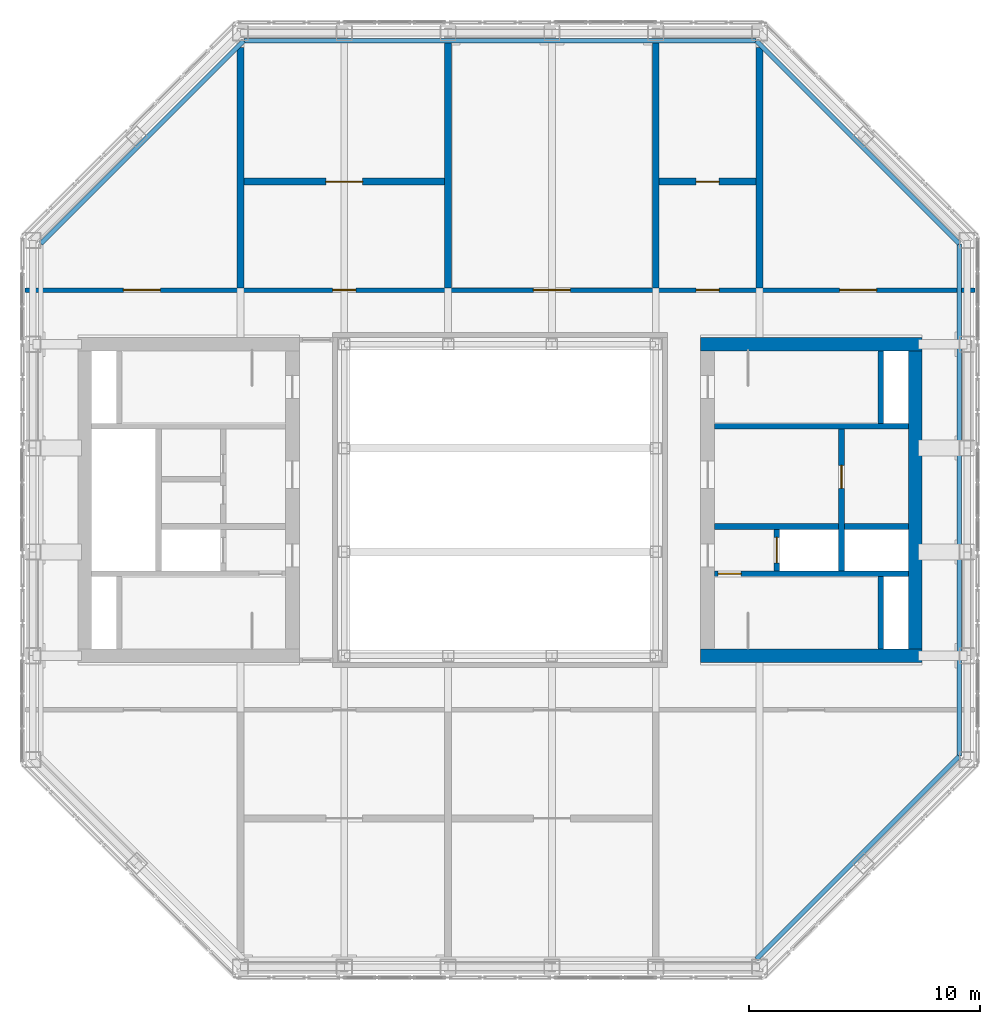
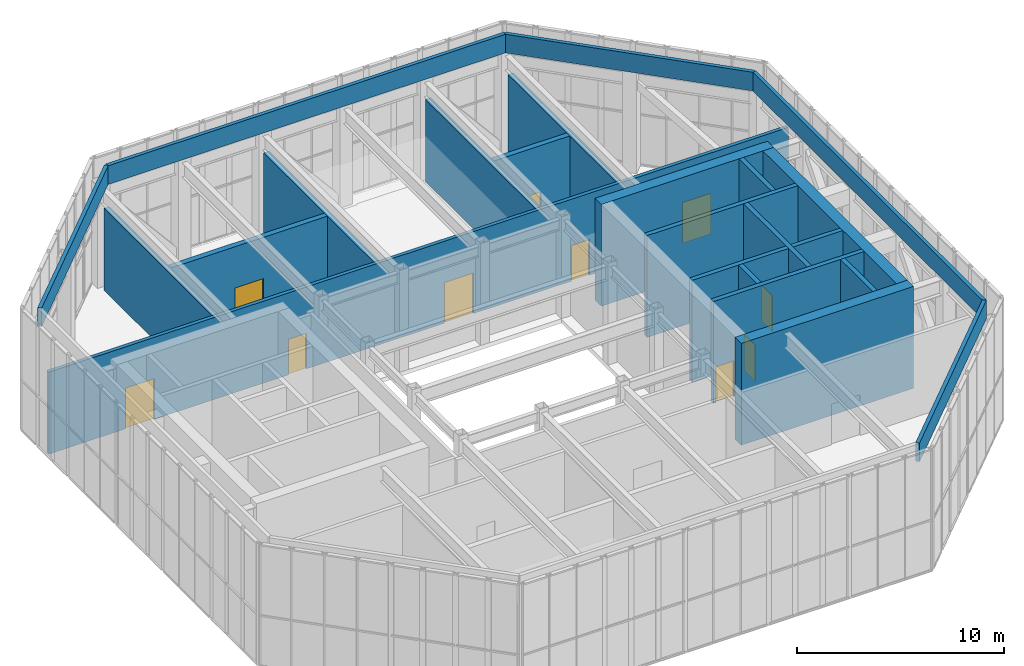
# One storey, part 14 of 15: 23 walls, 10 doors, 10 openings.
"""IFC4 building model written with IfcOpenShell, lengths in metres."""

from ifc_helpers import new_model, si_unit, direction, frame, frame_2d, origin, place, context, subcontext, project, spatial, rectangle, extrude, material, layer, layer_set, type_object, element, fill, save


model = new_model("IFC4")

# Units and contexts
model_context = context("Model", 3, precision=1e-05, world=origin(), true_north=direction((0.0, 1.0)))
body_context = subcontext(model_context, "Body", "Model", "MODEL_VIEW")
ifc_project = project(units=[si_unit("LENGTHUNIT", "METRE"), si_unit("AREAUNIT", "SQUARE_METRE"), si_unit("VOLUMEUNIT", "CUBIC_METRE"), si_unit("PLANEANGLEUNIT", "RADIAN"), si_unit("MASSUNIT", "GRAM", prefix="KILO")], contexts=[model_context])

# Site, building, storey
site_placement = place(None, origin())
site = spatial("IfcSite", under=ifc_project, at=site_placement, CompositionType="ELEMENT")
building_placement = place(site_placement, origin())
building = spatial("IfcBuilding", under=site, at=building_placement, Name="Msasa Ring Tower", CompositionType="ELEMENT")
storey_placement = place(building_placement, frame((0.0, 0.0, 268.050048828125)))
storey = spatial("IfcBuildingStorey", under=building, at=storey_placement, Name="L69", CompositionType="ELEMENT", Elevation=268.050048828125)

# Walls
ifc_material_1 = material(Name="Concrete C60/75", Category="concrete")
ifc_layer_1 = layer(ifc_material_1, 0.60009765625)
ifc_layer_set_1 = layer_set([ifc_layer_1], Name="CW3 CORE WALL 600")
wall_type_1 = type_object("IfcWallType", Name="CW3 CORE WALL 600", PredefinedType="SHEAR", material=ifc_layer_set_1)
for number, where, z_axis, x_axis, name in (
    (1, (8.699951171875, -6.75, 0.0), (0.0, 0.0, 1.0), (1.0, 0.0, 0.0), "E core wall S L69"),
    (2, (8.699951171875, 6.75, 0.0), (0.0, 0.0, 1.0), (1.0, 0.0, 0.0), "E core wall N L69"),
):
    element("IfcWall", number, at=place(storey_placement, frame(where, z_axis=z_axis, x_axis=x_axis)), inside=storey, type_object=wall_type_1, Name=name, PredefinedType="SHEAR", context=body_context, shape_type="SweptSolid", body=[
        extrude(rectangle(XDim=9.60009765625, YDim=0.60009765625, at=frame_2d((4.800048828125, 0.0))), origin(), (0.0, 0.0, 1.0), 6.0),
    ])
wall_1_placement = place(storey_placement, frame((18.0, -6.449951171875, 0.0), z_axis=(0.0, 0.0, 1.0), x_axis=(0.0, 1.0, 0.0)))
element("IfcWall", 3, at=wall_1_placement, inside=storey, type_object=wall_type_1, Name="E core wall E L69", PredefinedType="SHEAR", context=body_context, shape_type="SweptSolid", body=[
    extrude(rectangle(XDim=12.89990234375, YDim=0.60009765625, at=frame_2d((6.449951171875, 0.0))), origin(), (0.0, 0.0, 1.0), 6.0),
])

# Wall, opening, door
ifc_material_2 = material(Name="Concrete C60/75", Category="concrete")
ifc_layer_2 = layer(ifc_material_2, 0.25)
ifc_layer_set_2 = layer_set([ifc_layer_2], Name="CW4 CORE INNER WALL 250")
wall_type_2 = type_object("IfcWallType", Name="CW4 CORE INNER WALL 250", PredefinedType="SHEAR", material=ifc_layer_set_2)
wall_2_placement = place(storey_placement, frame((9.300048828125, -3.199951171875, 0.0), z_axis=(0.0, 0.0, 1.0), x_axis=(1.0, 0.0, 0.0)))
wall_2 = element("IfcWall", 4, at=wall_2_placement, inside=storey, type_object=wall_type_2, Name="E core wall STAIRA L69", PredefinedType="SHEAR", context=body_context, shape_type="SweptSolid", body=[
    extrude(rectangle(XDim=8.39990234375, YDim=0.25, at=frame_2d((4.199951171875, 0.0))), origin(), (0.0, 0.0, 1.0), 6.0),
])
opening_1_placement = place(wall_2_placement, frame((0.14990234375, 0.0, 0.0)))
opening_1 = element("IfcOpeningElement", 5, at=opening_1_placement, cuts=wall_2, Name="Opening L69-019", PredefinedType="OPENING", context=body_context, shape_type="SweptSolid", body=[
    extrude(rectangle(XDim=1.0, YDim=2.10009765625, at=frame_2d((0.5, 1.050048828125))), frame((0.0, 0.135009765625, 0.0), z_axis=(0.0, -1.0, 0.0), x_axis=(1.0, 0.0, 0.0)), (0.0, 0.0, 1.0), 0.27001953125),
])
ifc_material_3 = material(Name="Timber door leaf in a steel frame", Category="steel")
door_type_1 = type_object("IfcDoorType", Name="D6 STAIR DOOR 1000x2100", OperationType="SINGLE_SWING_LEFT", PredefinedType="DOOR", material=ifc_material_3)
door_1_placement = place(opening_1_placement, origin())
door_1 = element("IfcDoor", 6, at=door_1_placement, inside=storey, type_object=door_type_1, Name="Door L69-ESTA", OperationType="SINGLE_SWING_LEFT", OverallHeight=2.10009765625, OverallWidth=1.0, PredefinedType="DOOR", context=body_context, shape_type="SweptSolid", body=[
    extrude(rectangle(XDim=1.0, YDim=2.10009765625, at=frame_2d((0.5, 1.050048828125))), frame((0.0, 0.02490234375, 0.0), z_axis=(0.0, -1.0, 0.0), x_axis=(1.0, 0.0, 0.0)), (0.0, 0.0, 1.0), 0.050048828125),
])
fill(opening_1, door_1)

# Walls
wall_3_placement = place(storey_placement, frame((9.300048828125, 3.199951171875, 0.0), z_axis=(0.0, 0.0, 1.0), x_axis=(1.0, 0.0, 0.0)))
element("IfcWall", 7, at=wall_3_placement, inside=storey, type_object=wall_type_2, Name="E core wall STAIRB L69", PredefinedType="SHEAR", context=body_context, shape_type="SweptSolid", body=[
    extrude(rectangle(XDim=8.39990234375, YDim=0.25, at=frame_2d((4.199951171875, 0.0))), origin(), (0.0, 0.0, 1.0), 6.0),
])
for number, where, z_axis, x_axis, name in (
    (8, (16.5, -6.449951171875, 0.0), (0.0, 0.0, 1.0), (0.0, 1.0, 0.0), "E core wall RISERA L69"),
    (9, (16.5, 3.324951171875, 0.0), (0.0, 0.0, 1.0), (0.0, 1.0, 0.0), "E core wall RISERB L69"),
):
    element("IfcWall", number, at=place(storey_placement, frame(where, z_axis=z_axis, x_axis=x_axis)), inside=storey, type_object=wall_type_2, Name=name, PredefinedType="SHEAR", context=body_context, shape_type="SweptSolid", body=[
        extrude(rectangle(XDim=3.125, YDim=0.25, at=frame_2d((1.5625, 0.0))), origin(), (0.0, 0.0, 1.0), 6.0),
    ])
wall_4_placement = place(storey_placement, frame((9.300048828125, -1.14990234375, 0.0), z_axis=(0.0, 0.0, 1.0), x_axis=(1.0, 0.0, 0.0)))
element("IfcWall", 10, at=wall_4_placement, inside=storey, type_object=wall_type_2, Name="E core wall FFL L69", PredefinedType="SHEAR", context=body_context, shape_type="SweptSolid", body=[
    extrude(rectangle(XDim=5.375, YDim=0.25, at=frame_2d((2.6875, 0.0))), origin(), (0.0, 0.0, 1.0), 6.0),
])

# Wall, opening, door
wall_5_placement = place(storey_placement, frame((12.0, -3.074951171875, 0.0), z_axis=(0.0, 0.0, 1.0), x_axis=(0.0, 1.0, 0.0)))
wall_5 = element("IfcWall", 11, at=wall_5_placement, inside=storey, type_object=wall_type_2, Name="E core wall LOBBY L69", PredefinedType="SHEAR", context=body_context, shape_type="SweptSolid", body=[
    extrude(rectangle(XDim=1.800048828125, YDim=0.25, at=frame_2d((0.89990234375, 0.0))), origin(), (0.0, 0.0, 1.0), 6.0),
])
opening_2_placement = place(wall_5_placement, frame((0.35009765625, 0.0, 0.0)))
opening_2 = element("IfcOpeningElement", 12, at=opening_2_placement, cuts=wall_5, Name="Opening LD1", PredefinedType="OPENING", context=body_context, shape_type="SweptSolid", body=[
    extrude(rectangle(XDim=1.10009765625, YDim=2.10009765625, at=frame_2d((0.550048828125, 1.050048828125))), frame((0.0, 0.135009765625, 0.0), z_axis=(0.0, -1.0, 0.0), x_axis=(1.0, 0.0, 0.0)), (0.0, 0.0, 1.0), 0.27001953125),
])
ifc_material_4 = material(Name="Stainless steel lift landing door", Category="steel")
door_type_2 = type_object("IfcDoorType", Name="LD1 LIFT LANDING DOOR 1100x2100", OperationType="DOUBLE_DOOR_SLIDING", PredefinedType="DOOR", material=ifc_material_4)
door_2_placement = place(opening_2_placement, origin())
door_2 = element("IfcDoor", 13, at=door_2_placement, inside=storey, type_object=door_type_2, Name="Lift landing door FL-E L69", OperationType="DOUBLE_DOOR_SLIDING", OverallHeight=2.10009765625, OverallWidth=1.10009765625, PredefinedType="DOOR", context=body_context, shape_type="SweptSolid", body=[
    extrude(rectangle(XDim=1.10009765625, YDim=2.10009765625, at=frame_2d((0.550048828125, 1.050048828125))), frame((0.0, 0.02490234375, 0.0), z_axis=(0.0, -1.0, 0.0), x_axis=(1.0, 0.0, 0.0)), (0.0, 0.0, 1.0), 0.050048828125),
])
fill(opening_2, door_2)

wall_6_placement = place(storey_placement, frame((14.800048828125, -3.074951171875, 0.0), z_axis=(0.0, 0.0, 1.0), x_axis=(0.0, 1.0, 0.0)))
wall_6 = element("IfcWall", 14, at=wall_6_placement, inside=storey, type_object=wall_type_2, Name="E core wall SHAFT L69", PredefinedType="SHEAR", context=body_context, shape_type="SweptSolid", body=[
    extrude(rectangle(XDim=6.14990234375, YDim=0.25, at=frame_2d((3.074951171875, 0.0))), origin(), (0.0, 0.0, 1.0), 6.0),
])
opening_3_placement = place(wall_6_placement, frame((3.574951171875, 0.0, 0.0)))
opening_3 = element("IfcOpeningElement", 15, at=opening_3_placement, cuts=wall_6, Name="Opening L69-014", PredefinedType="OPENING", context=body_context, shape_type="SweptSolid", body=[
    extrude(rectangle(XDim=1.0, YDim=2.10009765625, at=frame_2d((0.5, 1.050048828125))), frame((0.0, 0.135009765625, 0.0), z_axis=(0.0, -1.0, 0.0), x_axis=(1.0, 0.0, 0.0)), (0.0, 0.0, 1.0), 0.27001953125),
])
ifc_material_5 = material(Name="Timber door leaf in a steel frame", Category="steel")
door_type_3 = type_object("IfcDoorType", Name="D13 PLANT ROOM DOOR 1000x2100", OperationType="SINGLE_SWING_LEFT", PredefinedType="DOOR", material=ifc_material_5)
door_3_placement = place(opening_3_placement, origin())
door_3 = element("IfcDoor", 16, at=door_3_placement, inside=storey, type_object=door_type_3, Name="Door L69-EMR", OperationType="SINGLE_SWING_RIGHT", OverallHeight=2.10009765625, OverallWidth=1.0, PredefinedType="DOOR", context=body_context, shape_type="SweptSolid", body=[
    extrude(rectangle(XDim=1.0, YDim=2.10009765625, at=frame_2d((0.5, 1.050048828125))), frame((0.0, 0.02490234375, 0.0), z_axis=(0.0, -1.0, 0.0), x_axis=(1.0, 0.0, 0.0)), (0.0, 0.0, 1.0), 0.050048828125),
])
fill(opening_3, door_3)

# Wall
wall_7_placement = place(storey_placement, frame((14.925048828125, -1.14990234375, 0.0), z_axis=(0.0, 0.0, 1.0), x_axis=(1.0, 0.0, 0.0)))
element("IfcWall", 17, at=wall_7_placement, inside=storey, type_object=wall_type_2, Name="E core wall HSEP L69", PredefinedType="SHEAR", context=body_context, shape_type="SweptSolid", body=[
    extrude(rectangle(XDim=2.77490234375, YDim=0.25, at=frame_2d((1.387451171875, 0.0))), origin(), (0.0, 0.0, 1.0), 6.0),
])

# Wall, openings, doors
ifc_material_6 = material(Name="Concrete blockwork", Category="masonry")
ifc_layer_3 = layer(ifc_material_6, 0.199951171875)
ifc_layer_set_3 = layer_set([ifc_layer_3], Name="PT1 CORRIDOR WALL 200")
wall_type_3 = type_object("IfcWallType", Name="PT1 CORRIDOR WALL 200", PredefinedType="PARTITIONING", material=ifc_layer_set_3)
wall_8_placement = place(storey_placement, frame((-20.590087890625, 9.10009765625, 0.0), z_axis=(0.0, 0.0, 1.0), x_axis=(1.0, 0.0, 0.0)))
wall_8 = element("IfcWall", 18, at=wall_8_placement, inside=storey, type_object=wall_type_3, Name="Corridor wall L69-CORRN0", PredefinedType="PARTITIONING", context=body_context, shape_type="SweptSolid", body=[
    extrude(rectangle(XDim=41.18017578125, YDim=0.199951171875, at=frame_2d((20.590087890625, 0.0))), origin(), (0.0, 0.0, 1.0), 4.828857421875),
])
opening_4_placement = place(wall_8_placement, frame((4.264892578125, 0.0, 0.0)))
opening_4 = element("IfcOpeningElement", 19, at=opening_4_placement, cuts=wall_8, Name="Opening L69-003", PredefinedType="OPENING", context=body_context, shape_type="SweptSolid", body=[
    extrude(rectangle(XDim=1.60009765625, YDim=2.39990234375, at=frame_2d((0.800048828125, 1.199951171875))), frame((0.0, 0.10986328125, 0.0), z_axis=(0.0, -1.0, 0.0), x_axis=(1.0, 0.0, 0.0)), (0.0, 0.0, 1.0), 0.219970703125),
])
opening_5_placement = place(wall_8_placement, frame((13.340087890625, 0.0, 0.0)))
opening_5 = element("IfcOpeningElement", 20, at=opening_5_placement, cuts=wall_8, Name="Opening L69-004", PredefinedType="OPENING", context=body_context, shape_type="SweptSolid", body=[
    extrude(rectangle(XDim=1.0, YDim=2.10009765625, at=frame_2d((0.5, 1.050048828125))), frame((0.0, 0.10986328125, 0.0), z_axis=(0.0, -1.0, 0.0), x_axis=(1.0, 0.0, 0.0)), (0.0, 0.0, 1.0), 0.219970703125),
])
opening_6_placement = place(wall_8_placement, frame((22.0400390625, 0.0, 0.0)))
opening_6 = element("IfcOpeningElement", 21, at=opening_6_placement, cuts=wall_8, Name="Opening L69-005", PredefinedType="OPENING", context=body_context, shape_type="SweptSolid", body=[
    extrude(rectangle(XDim=1.60009765625, YDim=2.39990234375, at=frame_2d((0.800048828125, 1.199951171875))), frame((0.0, 0.10986328125, 0.0), z_axis=(0.0, -1.0, 0.0), x_axis=(1.0, 0.0, 0.0)), (0.0, 0.0, 1.0), 0.219970703125),
])
opening_7_placement = place(wall_8_placement, frame((29.090087890625, 0.0, 0.0)))
opening_7 = element("IfcOpeningElement", 22, at=opening_7_placement, cuts=wall_8, Name="Opening L69-006", PredefinedType="OPENING", context=body_context, shape_type="SweptSolid", body=[
    extrude(rectangle(XDim=1.0, YDim=2.10009765625, at=frame_2d((0.5, 1.050048828125))), frame((0.0, 0.10986328125, 0.0), z_axis=(0.0, -1.0, 0.0), x_axis=(1.0, 0.0, 0.0)), (0.0, 0.0, 1.0), 0.219970703125),
])
opening_8_placement = place(wall_8_placement, frame((35.31494140625, 0.0, 0.0)))
opening_8 = element("IfcOpeningElement", 23, at=opening_8_placement, cuts=wall_8, Name="Opening L69-007", PredefinedType="OPENING", context=body_context, shape_type="SweptSolid", body=[
    extrude(rectangle(XDim=1.60009765625, YDim=2.39990234375, at=frame_2d((0.800048828125, 1.199951171875))), frame((0.0, 0.10986328125, 0.0), z_axis=(0.0, -1.0, 0.0), x_axis=(1.0, 0.0, 0.0)), (0.0, 0.0, 1.0), 0.219970703125),
])
door_4_placement = place(opening_5_placement, origin())
door_4 = element("IfcDoor", 24, at=door_4_placement, inside=storey, type_object=door_type_3, Name="Door L69-LPN1A", OperationType="SINGLE_SWING_LEFT", OverallHeight=2.10009765625, OverallWidth=1.0, PredefinedType="DOOR", context=body_context, shape_type="SweptSolid", body=[
    extrude(rectangle(XDim=1.0, YDim=2.10009765625, at=frame_2d((0.5, 1.050048828125))), frame((0.0, 0.02490234375, 0.0), z_axis=(0.0, -1.0, 0.0), x_axis=(1.0, 0.0, 0.0)), (0.0, 0.0, 1.0), 0.050048828125),
])
fill(opening_5, door_4)
door_5_placement = place(opening_7_placement, origin())
door_5 = element("IfcDoor", 25, at=door_5_placement, inside=storey, type_object=door_type_3, Name="Door L69-LPN3A", OperationType="SINGLE_SWING_RIGHT", OverallHeight=2.10009765625, OverallWidth=1.0, PredefinedType="DOOR", context=body_context, shape_type="SweptSolid", body=[
    extrude(rectangle(XDim=1.0, YDim=2.10009765625, at=frame_2d((0.5, 1.050048828125))), frame((0.0, 0.02490234375, 0.0), z_axis=(0.0, -1.0, 0.0), x_axis=(1.0, 0.0, 0.0)), (0.0, 0.0, 1.0), 0.050048828125),
])
fill(opening_7, door_5)
ifc_material_7 = material(Name="Timber door leaf in a steel frame", Category="steel")
door_type_4 = type_object("IfcDoorType", Name="D20 PLANT ROOM PAIR OF DOORS 1600x2400", OperationType="SINGLE_SWING_LEFT", PredefinedType="DOOR", material=ifc_material_7)
door_6_placement = place(opening_4_placement, origin())
door_6 = element("IfcDoor", 26, at=door_6_placement, inside=storey, type_object=door_type_4, Name="Door L69-LPN0", OperationType="SINGLE_SWING_LEFT", OverallHeight=2.39990234375, OverallWidth=1.60009765625, PredefinedType="DOOR", context=body_context, shape_type="SweptSolid", body=[
    extrude(rectangle(XDim=1.60009765625, YDim=2.39990234375, at=frame_2d((0.800048828125, 1.199951171875))), frame((0.0, 0.02490234375, 0.0), z_axis=(0.0, -1.0, 0.0), x_axis=(1.0, 0.0, 0.0)), (0.0, 0.0, 1.0), 0.050048828125),
])
fill(opening_4, door_6)
door_7_placement = place(opening_6_placement, origin())
door_7 = element("IfcDoor", 27, at=door_7_placement, inside=storey, type_object=door_type_4, Name="Door L69-LPN2", OperationType="SINGLE_SWING_RIGHT", OverallHeight=2.39990234375, OverallWidth=1.60009765625, PredefinedType="DOOR", context=body_context, shape_type="SweptSolid", body=[
    extrude(rectangle(XDim=1.60009765625, YDim=2.39990234375, at=frame_2d((0.800048828125, 1.199951171875))), frame((0.0, 0.02490234375, 0.0), z_axis=(0.0, -1.0, 0.0), x_axis=(1.0, 0.0, 0.0)), (0.0, 0.0, 1.0), 0.050048828125),
])
fill(opening_6, door_7)
door_8_placement = place(opening_8_placement, origin())
door_8 = element("IfcDoor", 28, at=door_8_placement, inside=storey, type_object=door_type_4, Name="Door L69-LPN4", OperationType="SINGLE_SWING_RIGHT", OverallHeight=2.39990234375, OverallWidth=1.60009765625, PredefinedType="DOOR", context=body_context, shape_type="SweptSolid", body=[
    extrude(rectangle(XDim=1.60009765625, YDim=2.39990234375, at=frame_2d((0.800048828125, 1.199951171875))), frame((0.0, 0.02490234375, 0.0), z_axis=(0.0, -1.0, 0.0), x_axis=(1.0, 0.0, 0.0)), (0.0, 0.0, 1.0), 0.050048828125),
])
fill(opening_8, door_8)

# Wall
ifc_material_8 = material(Name="Dense concrete blockwork, fair faced", Category="masonry")
ifc_layer_4 = layer(ifc_material_8, 0.300048828125)
ifc_layer_set_4 = layer_set([ifc_layer_4], Name="PT7 PLANT ROOM WALL 300")
wall_type_4 = type_object("IfcWallType", Name="PT7 PLANT ROOM WALL 300", PredefinedType="PARTITIONING", material=ifc_layer_set_4)
wall_9_placement = place(storey_placement, frame((-11.25, 9.199951171875, 0.0), z_axis=(0.0, 0.0, 1.0), x_axis=(0.0, 1.0, 0.0)))
element("IfcWall", 29, at=wall_9_placement, inside=storey, type_object=wall_type_4, Name="Partition L69-LPNW1", PredefinedType="PARTITIONING", context=body_context, shape_type="SweptSolid", body=[
    extrude(rectangle(XDim=10.41357421875, YDim=0.300048828125, at=frame_2d((5.206787109375, 0.0))), origin(), (0.0, 0.0, 1.0), 4.828857421875),
])

# Wall, opening, door
wall_10_placement = place(storey_placement, frame((-11.10009765625, 13.800048828125, 0.0), z_axis=(0.0, 0.0, 1.0), x_axis=(1.0, 0.0, 0.0)))
wall_10 = element("IfcWall", 30, at=wall_10_placement, inside=storey, type_object=wall_type_4, Name="Partition L69-LPNS1", PredefinedType="PARTITIONING", context=body_context, shape_type="SweptSolid", body=[
    extrude(rectangle(XDim=8.7001953125, YDim=0.300048828125, at=frame_2d((4.35009765625, 0.0))), origin(), (0.0, 0.0, 1.0), 4.828857421875),
])
opening_9_placement = place(wall_10_placement, frame((3.550048828125, 0.0, 0.0)))
opening_9 = element("IfcOpeningElement", 31, at=opening_9_placement, cuts=wall_10, Name="Opening L69-001", PredefinedType="OPENING", context=body_context, shape_type="SweptSolid", body=[
    extrude(rectangle(XDim=1.60009765625, YDim=2.39990234375, at=frame_2d((0.800048828125, 1.199951171875))), frame((0.0, 0.159912109375, 0.0), z_axis=(0.0, -1.0, 0.0), x_axis=(1.0, 0.0, 0.0)), (0.0, 0.0, 1.0), 0.320068359375),
])
door_9_placement = place(opening_9_placement, origin())
door_9 = element("IfcDoor", 32, at=door_9_placement, inside=storey, type_object=door_type_4, Name="Door L69-LPN1B", OperationType="SINGLE_SWING_LEFT", OverallHeight=2.39990234375, OverallWidth=1.60009765625, PredefinedType="DOOR", context=body_context, shape_type="SweptSolid", body=[
    extrude(rectangle(XDim=1.60009765625, YDim=2.39990234375, at=frame_2d((0.800048828125, 1.199951171875))), frame((0.0, 0.02490234375, 0.0), z_axis=(0.0, -1.0, 0.0), x_axis=(1.0, 0.0, 0.0)), (0.0, 0.0, 1.0), 0.050048828125),
])
fill(opening_9, door_9)

# Walls
for number, where, z_axis, x_axis, name in (
    (33, (-2.25, 9.199951171875, 0.0), (0.0, 0.0, 1.0), (0.0, 1.0, 0.0), "Partition L69-LPNW2"),
    (34, (6.75, 9.199951171875, 0.0), (0.0, 0.0, 1.0), (0.0, 1.0, 0.0), "Partition L69-LPNW3"),
):
    element("IfcWall", number, at=place(storey_placement, frame(where, z_axis=z_axis, x_axis=x_axis)), inside=storey, type_object=wall_type_4, Name=name, PredefinedType="PARTITIONING", context=body_context, shape_type="SweptSolid", body=[
        extrude(rectangle(XDim=10.60009765625, YDim=0.300048828125, at=frame_2d((5.300048828125, 0.0))), origin(), (0.0, 0.0, 1.0), 4.828857421875),
    ])

# Wall, opening, door
wall_11_placement = place(storey_placement, frame((6.89990234375, 13.800048828125, 0.0), z_axis=(0.0, 0.0, 1.0), x_axis=(1.0, 0.0, 0.0)))
wall_11 = element("IfcWall", 35, at=wall_11_placement, inside=storey, type_object=wall_type_4, Name="Partition L69-LPNS3", PredefinedType="PARTITIONING", context=body_context, shape_type="SweptSolid", body=[
    extrude(rectangle(XDim=4.2001953125, YDim=0.300048828125, at=frame_2d((2.10009765625, 0.0))), origin(), (0.0, 0.0, 1.0), 4.828857421875),
])
opening_10_placement = place(wall_11_placement, frame((1.60009765625, 0.0, 0.0)))
opening_10 = element("IfcOpeningElement", 36, at=opening_10_placement, cuts=wall_11, Name="Opening L69-002", PredefinedType="OPENING", context=body_context, shape_type="SweptSolid", body=[
    extrude(rectangle(XDim=1.0, YDim=2.10009765625, at=frame_2d((0.5, 1.050048828125))), frame((0.0, 0.159912109375, 0.0), z_axis=(0.0, -1.0, 0.0), x_axis=(1.0, 0.0, 0.0)), (0.0, 0.0, 1.0), 0.320068359375),
])
door_10_placement = place(opening_10_placement, origin())
door_10 = element("IfcDoor", 37, at=door_10_placement, inside=storey, type_object=door_type_3, Name="Door L69-LPN3B", OperationType="SINGLE_SWING_LEFT", OverallHeight=2.10009765625, OverallWidth=1.0, PredefinedType="DOOR", context=body_context, shape_type="SweptSolid", body=[
    extrude(rectangle(XDim=1.0, YDim=2.10009765625, at=frame_2d((0.5, 1.050048828125))), frame((0.0, 0.02490234375, 0.0), z_axis=(0.0, -1.0, 0.0), x_axis=(1.0, 0.0, 0.0)), (0.0, 0.0, 1.0), 0.050048828125),
])
fill(opening_10, door_10)

# Walls
wall_12_placement = place(storey_placement, frame((11.25, 9.199951171875, 0.0), z_axis=(0.0, 0.0, 1.0), x_axis=(0.0, 1.0, 0.0)))
element("IfcWall", 38, at=wall_12_placement, inside=storey, type_object=wall_type_4, Name="Partition L69-LPNW4", PredefinedType="PARTITIONING", context=body_context, shape_type="SweptSolid", body=[
    extrude(rectangle(XDim=10.41357421875, YDim=0.300048828125, at=frame_2d((5.206787109375, 0.0))), origin(), (0.0, 0.0, 1.0), 4.828857421875),
])
ifc_material_9 = material(Name="Terracotta rainscreen on blockwork", Category="masonry")
ifc_layer_5 = layer(ifc_material_9, 0.199951171875)
ifc_layer_set_5 = layer_set([ifc_layer_5], Name="PW1 ROOF PARAPET 200")
wall_type_5 = type_object("IfcWallType", Name="PW1 ROOF PARAPET 200", PredefinedType="PARAPET", material=ifc_layer_set_5)
wall_13_placement = place(storey_placement, frame((11.10498046875, -19.89990234375, 6.0), z_axis=(0.0, 0.0, 1.0), x_axis=(0.707106781187, 0.707106781187, 0.0)))
element("IfcWall", 39, at=wall_13_placement, inside=storey, type_object=wall_type_5, Name="Roof parapet SE", PredefinedType="PARAPET", context=body_context, shape_type="SweptSolid", body=[
    extrude(rectangle(XDim=12.43798828125, YDim=0.199951171875, at=frame_2d((6.218994140625, 0.0))), origin(), (0.0, 0.0, 1.0), 1.099853515625),
])
wall_14_placement = place(storey_placement, frame((19.89990234375, -11.10498046875, 6.0), z_axis=(0.0, 0.0, 1.0), x_axis=(0.0, 1.0, 0.0)))
element("IfcWall", 40, at=wall_14_placement, inside=storey, type_object=wall_type_5, Name="Roof parapet E", PredefinedType="PARAPET", context=body_context, shape_type="SweptSolid", body=[
    extrude(rectangle(XDim=22.2099609375, YDim=0.199951171875, at=frame_2d((11.10498046875, 0.0))), origin(), (0.0, 0.0, 1.0), 1.099853515625),
])
wall_15_placement = place(storey_placement, frame((11.10498046875, 19.89990234375, 6.0), z_axis=(0.0, 0.0, 1.0), x_axis=(0.707106781187, -0.707106781187, 0.0)))
element("IfcWall", 41, at=wall_15_placement, inside=storey, type_object=wall_type_5, Name="Roof parapet NE", PredefinedType="PARAPET", context=body_context, shape_type="SweptSolid", body=[
    extrude(rectangle(XDim=12.43798828125, YDim=0.199951171875, at=frame_2d((6.218994140625, 0.0))), origin(), (0.0, 0.0, 1.0), 1.099853515625),
])
wall_16_placement = place(storey_placement, frame((-11.10498046875, 19.89990234375, 6.0), z_axis=(0.0, 0.0, 1.0), x_axis=(1.0, 0.0, 0.0)))
element("IfcWall", 42, at=wall_16_placement, inside=storey, type_object=wall_type_5, Name="Roof parapet N", PredefinedType="PARAPET", context=body_context, shape_type="SweptSolid", body=[
    extrude(rectangle(XDim=22.2099609375, YDim=0.199951171875, at=frame_2d((11.10498046875, 0.0))), origin(), (0.0, 0.0, 1.0), 1.099853515625),
])
wall_17_placement = place(storey_placement, frame((-19.89990234375, 11.10498046875, 6.0), z_axis=(0.0, 0.0, 1.0), x_axis=(0.707106781187, 0.707106781187, 0.0)))
element("IfcWall", 43, at=wall_17_placement, inside=storey, type_object=wall_type_5, Name="Roof parapet NW", PredefinedType="PARAPET", context=body_context, shape_type="SweptSolid", body=[
    extrude(rectangle(XDim=12.43798828125, YDim=0.199951171875, at=frame_2d((6.218994140625, 0.0))), origin(), (0.0, 0.0, 1.0), 1.099853515625),
])

save(model, "model.ifc")
